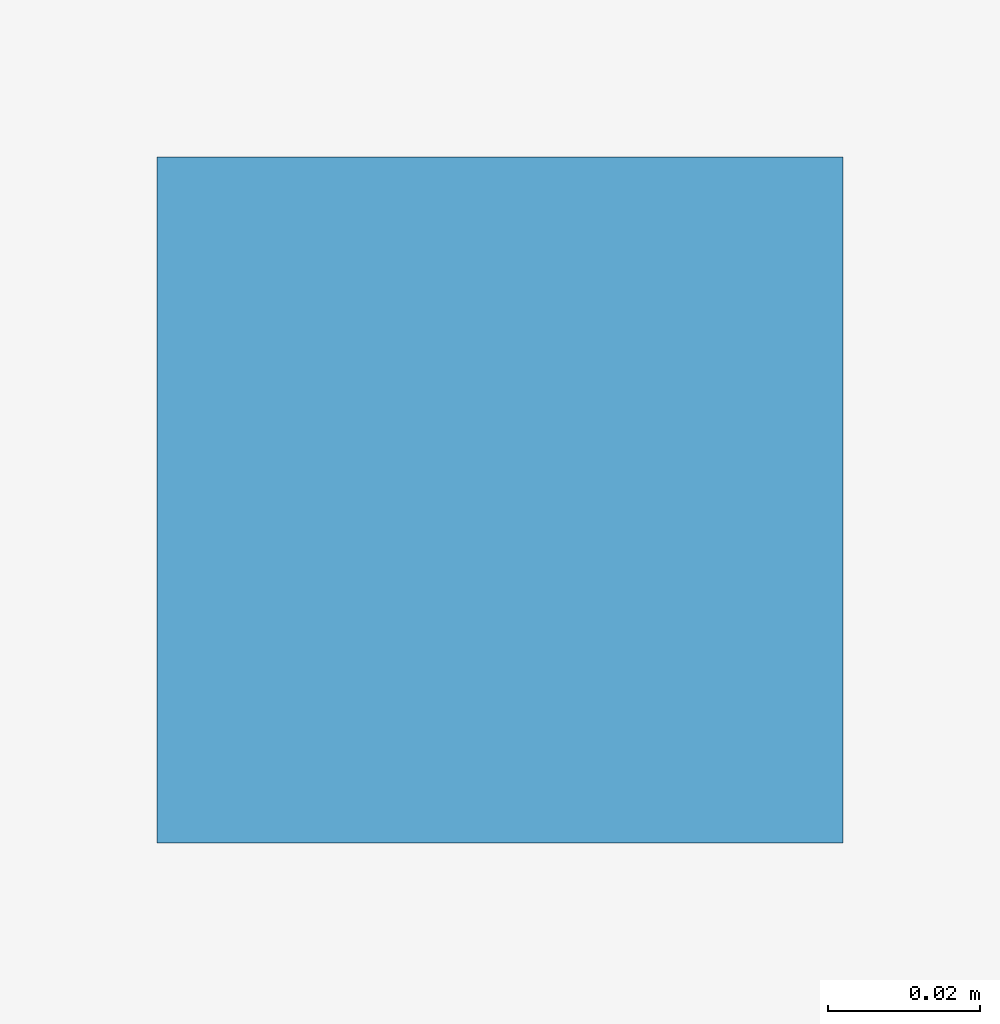
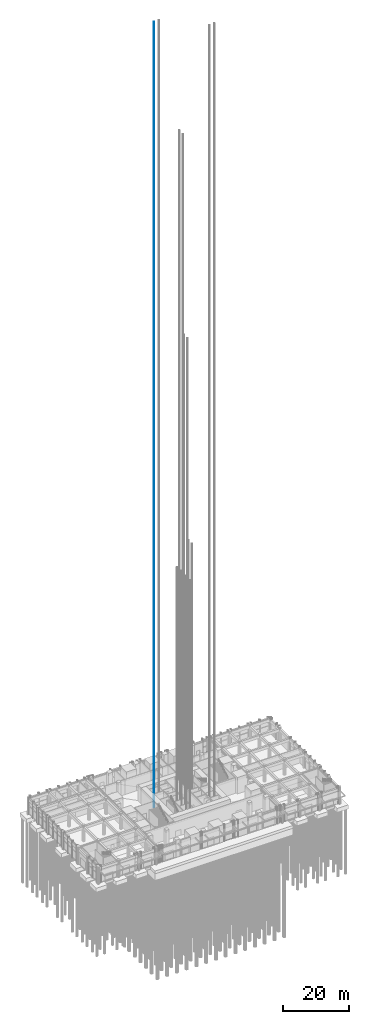
# One storey, part 32 of 46: 1 discrete accessory.
"""IFC4 building model written with IfcOpenShell, lengths in metres."""

from ifc_helpers import new_model, si_unit, direction, frame, origin, origin_2d, place, context, subcontext, project, spatial, rectangle, extrude, element, save


model = new_model("IFC4")

# Units and contexts
model_context = context("Model", 3, precision=1e-05, world=origin(), true_north=direction((0.0, 1.0)))
body_context = subcontext(model_context, "Body", "Model", "MODEL_VIEW")
ifc_project = project(units=[si_unit("LENGTHUNIT", "METRE"), si_unit("AREAUNIT", "SQUARE_METRE"), si_unit("VOLUMEUNIT", "CUBIC_METRE"), si_unit("PLANEANGLEUNIT", "RADIAN"), si_unit("MASSUNIT", "GRAM", prefix="KILO")], contexts=[model_context])

# Site, building, storey
site_placement = place(None, origin())
site = spatial("IfcSite", under=ifc_project, at=site_placement, CompositionType="ELEMENT")
building_placement = place(site_placement, origin())
building = spatial("IfcBuilding", under=site, at=building_placement, Name="Svetlomir Tower", CompositionType="ELEMENT")
storey_placement = place(building_placement, origin())
storey = spatial("IfcBuildingStorey", under=building, at=storey_placement, Name="L00", CompositionType="ELEMENT", Elevation=0.0)

# Discrete accessory
discrete_accessory_placement = place(storey_placement, frame((13.324951171875, 25.949951171875, 0.0), z_axis=(0.0, 0.0, 1.0), x_axis=(1.0, 0.0, 0.0)))
element("IfcDiscreteAccessory", 1, at=discrete_accessory_placement, inside=storey, Name="Lift FL1 guide rail 1", ObjectType="LIFT GUIDE RAIL", PredefinedType="USERDEFINED", context=body_context, shape_type="SweptSolid", body=[
    extrude(rectangle(XDim=0.090087890625, YDim=0.090087890625, at=origin_2d()), origin(), (0.0, 0.0, 1.0), 289.25),
])

save(model, "model.ifc")
